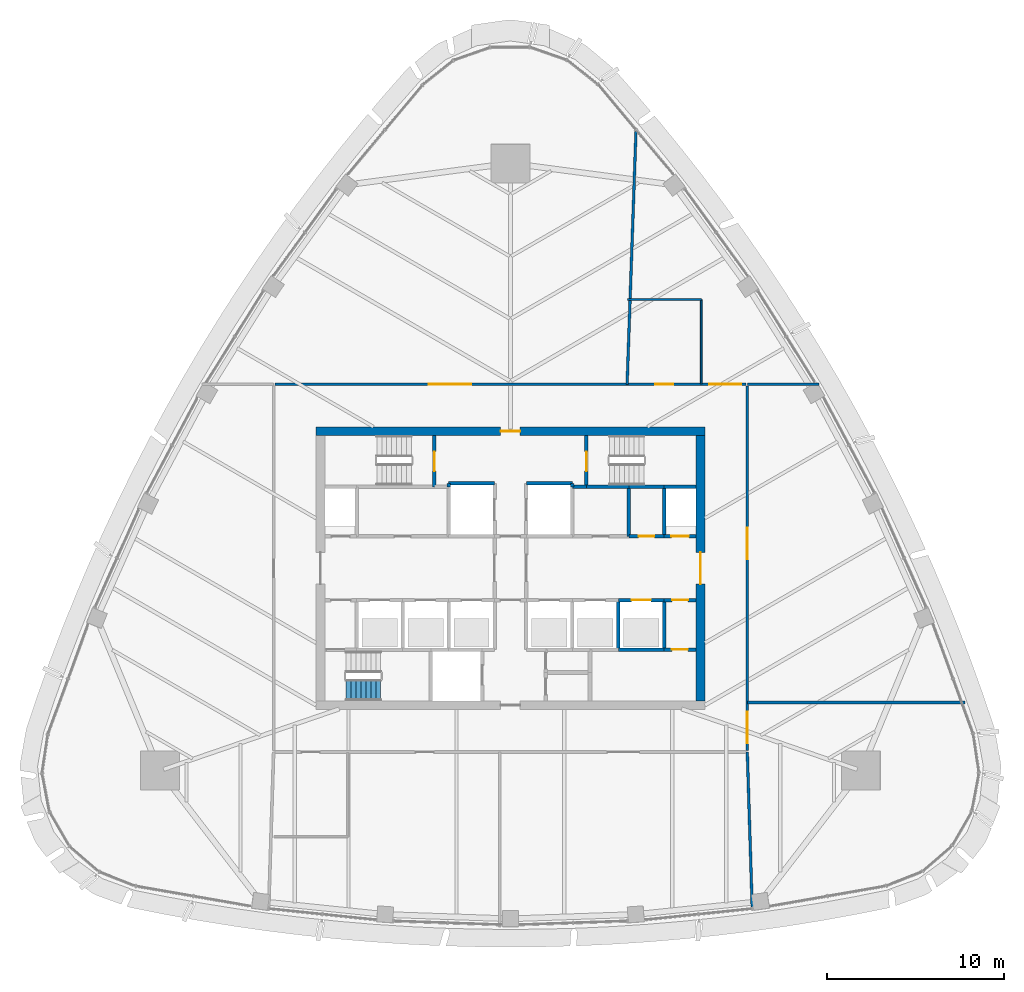
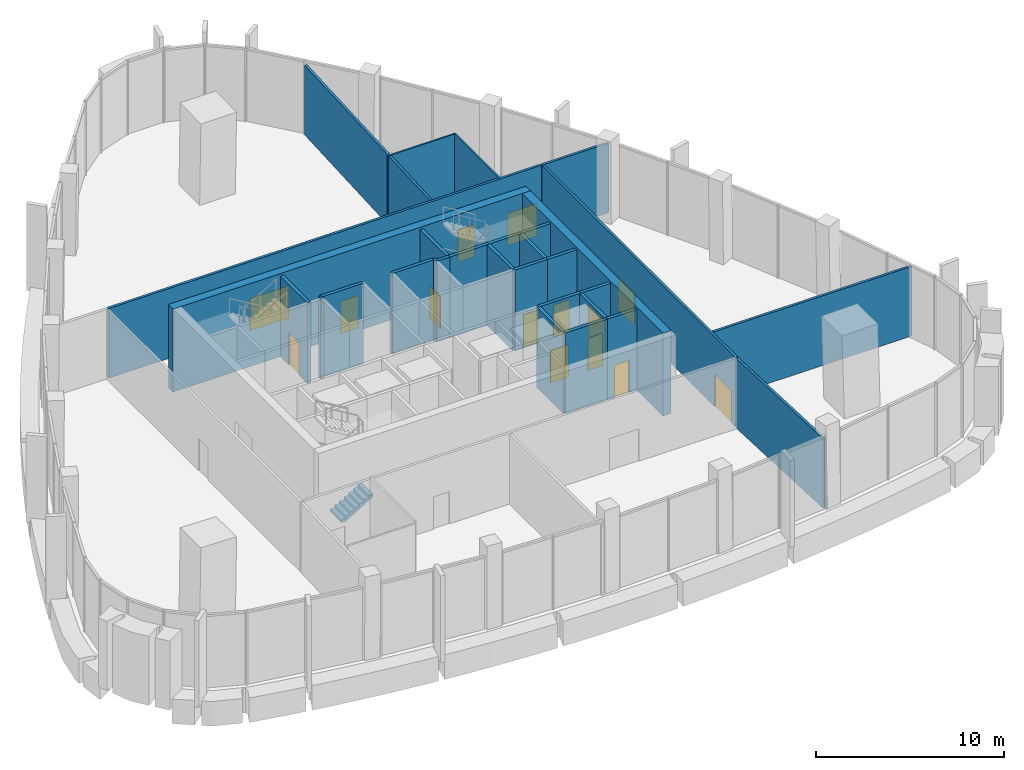
# One storey, part 10 of 19: 30 walls, 14 doors, 1 stair flight, 14 openings, 1 element without a shape of its own.
"""IFC4 building model written with IfcOpenShell, lengths in metres."""

from ifc_helpers import new_model, si_unit, direction, frame, frame_2d, origin, place, context, subcontext, project, spatial, polyline, rectangle, outline, extrude, material, layer, layer_set, type_object, element, fill, aggregate, save


model = new_model("IFC4")

# Units and contexts
model_context = context("Model", 3, precision=1e-05, world=origin(), true_north=direction((0.0, 1.0)))
body_context = subcontext(model_context, "Body", "Model", "MODEL_VIEW")
ifc_project = project(units=[si_unit("LENGTHUNIT", "METRE"), si_unit("AREAUNIT", "SQUARE_METRE"), si_unit("VOLUMEUNIT", "CUBIC_METRE"), si_unit("PLANEANGLEUNIT", "RADIAN"), si_unit("MASSUNIT", "GRAM", prefix="KILO")], contexts=[model_context])

# Site, building, storey
site_placement = place(None, origin())
site = spatial("IfcSite", under=ifc_project, at=site_placement, CompositionType="ELEMENT")
building_placement = place(site_placement, origin())
building = spatial("IfcBuilding", under=site, at=building_placement, Name="Sierra Prisma Convention Tower", CompositionType="ELEMENT")
storey_placement = place(building_placement, frame((0.0, 0.0, 319.0)))
storey = spatial("IfcBuildingStorey", under=building, at=storey_placement, Name="L73", CompositionType="ELEMENT", Elevation=319.0)

# Walls
ifc_material_1 = material(Name="Gypsum board partition", Category="gypsum")
ifc_layer_1 = layer(ifc_material_1, 0.10009765625)
ifc_layer_set_1 = layer_set([ifc_layer_1], Name="Bathroom partition 100")
wall_type_1 = type_object("IfcWallType", Name="Bathroom partition 100", PredefinedType="PARTITIONING", material=ifc_layer_set_1)
wall_1_placement = place(storey_placement, frame((6.6298828125, 15.199951171875, 0.0), z_axis=(0.0, 0.0, 1.0), x_axis=(1.0, 0.0, 0.0)))
element("IfcWall", 1, at=wall_1_placement, inside=storey, type_object=wall_type_1, Name="Partition L73 bath 3", PredefinedType="PARTITIONING", context=body_context, shape_type="SweptSolid", body=[
    extrude(rectangle(XDim=4.170166015625, YDim=0.10009765625, at=frame_2d((2.0849609375, 0.0))), origin(), (0.0, 0.0, 1.0), 4.5380859375),
])
wall_2_placement = place(storey_placement, frame((10.800048828125, 15.199951171875, 0.0), z_axis=(0.0, 0.0, 1.0), x_axis=(0.0, -1.0, 0.0)))
element("IfcWall", 2, at=wall_2_placement, inside=storey, type_object=wall_type_1, Name="Partition L73 bath 4", PredefinedType="PARTITIONING", context=body_context, shape_type="SweptSolid", body=[
    extrude(rectangle(XDim=4.77001953125, YDim=0.10009765625, at=frame_2d((2.385009765625, 0.0))), origin(), (0.0, 0.0, 1.0), 4.5380859375),
])

# Wall, opening, door
ifc_material_2 = material(Name="Concrete C30/37", Category="concrete")
ifc_layer_2 = layer(ifc_material_2, 0.199951171875)
ifc_layer_set_2 = layer_set([ifc_layer_2], Name="Core wall RC 200 C30/37")
wall_type_2 = type_object("IfcWallType", Name="Core wall RC 200 C30/37", PredefinedType="SOLIDWALL", material=ifc_layer_set_2)
wall_3_placement = place(storey_placement, frame((-4.300048828125, 4.60009765625, 0.0), z_axis=(0.0, 0.0, 1.0), x_axis=(0.0, 1.0, 0.0)))
wall_3 = element("IfcWall", 3, at=wall_3_placement, inside=storey, type_object=wall_type_2, Name="Core wall L73 17", PredefinedType="SOLIDWALL", context=body_context, shape_type="SweptSolid", body=[
    extrude(rectangle(XDim=2.89990234375, YDim=0.199951171875, at=frame_2d((1.449951171875, 0.0))), origin(), (0.0, 0.0, 1.0), 5.25),
])
opening_1_placement = place(wall_3_placement, frame((0.89990234375, 0.0, 0.0)))
opening_1 = element("IfcOpeningElement", 4, at=opening_1_placement, cuts=wall_3, Name="Opening L73-D018", PredefinedType="OPENING", context=body_context, shape_type="SweptSolid", body=[
    extrude(rectangle(XDim=1.10009765625, YDim=2.10009765625, at=frame_2d((0.550048828125, 1.050048828125))), frame((0.0, 0.10009765625, 0.0), z_axis=(0.0, -1.0, 0.0), x_axis=(1.0, 0.0, 0.0)), (0.0, 0.0, 1.0), 0.199951171875),
])
ifc_material_3 = material(Name="Steel fire door leaf", Category="steel")
door_type_1 = type_object("IfcDoorType", Name="Door 1100x2100 FD90S", OperationType="SINGLE_SWING_LEFT", PredefinedType="DOOR", material=ifc_material_3)
door_1_placement = place(opening_1_placement, origin())
door_1 = element("IfcDoor", 5, at=door_1_placement, inside=storey, type_object=door_type_1, Name="Door L73 27", OperationType="SINGLE_SWING_RIGHT", OverallHeight=2.10009765625, OverallWidth=1.10009765625, PredefinedType="DOOR", context=body_context, shape_type="SweptSolid", body=[
    extrude(rectangle(XDim=1.10009765625, YDim=2.10009765625, at=frame_2d((0.550048828125, 1.050048828125))), frame((0.0, 0.02490234375, 0.0), z_axis=(0.0, -1.0, 0.0), x_axis=(1.0, 0.0, 0.0)), (0.0, 0.0, 1.0), 0.050048828125),
])
fill(opening_1, door_1)

# Walls
wall_4_placement = place(storey_placement, frame((-0.89990234375, 4.800048828125, 0.0), z_axis=(0.0, 0.0, 1.0), x_axis=(-1.0, 0.0, 0.0)))
element("IfcWall", 6, at=wall_4_placement, inside=storey, type_object=wall_type_2, Name="Core wall L73 24", PredefinedType="SOLIDWALL", context=body_context, shape_type="SweptSolid", body=[
    extrude(rectangle(XDim=2.60009765625, YDim=0.199951171875, at=frame_2d((1.300048828125, 0.0))), origin(), (0.0, 0.0, 1.0), 5.25),
])
for number, where, z_axis, x_axis, name in (
    (7, (-3.5, 4.800048828125, 0.0), (0.0, 0.0, 1.0), (0.0, -1.0, 0.0), "Core wall L73 25"),
    (8, (3.5, 4.60009765625, 0.0), (0.0, 0.0, 1.0), (0.0, 1.0, 0.0), "Core wall L73 37"),
):
    element("IfcWall", number, at=place(storey_placement, frame(where, z_axis=z_axis, x_axis=x_axis)), inside=storey, type_object=wall_type_2, Name=name, PredefinedType="SOLIDWALL", context=body_context, shape_type="SweptSolid", body=[
        extrude(rectangle(XDim=0.199951171875, YDim=0.199951171875, at=frame_2d((0.10009765625, 0.0))), origin(), (0.0, 0.0, 1.0), 5.25),
    ])
wall_5_placement = place(storey_placement, frame((3.5, 4.800048828125, 0.0), z_axis=(0.0, 0.0, 1.0), x_axis=(-1.0, 0.0, 0.0)))
element("IfcWall", 9, at=wall_5_placement, inside=storey, type_object=wall_type_2, Name="Core wall L73 38", PredefinedType="SOLIDWALL", context=body_context, shape_type="SweptSolid", body=[
    extrude(rectangle(XDim=2.60009765625, YDim=0.199951171875, at=frame_2d((1.300048828125, 0.0))), origin(), (0.0, 0.0, 1.0), 5.25),
])
wall_6_placement = place(storey_placement, frame((4.300048828125, 4.60009765625, 0.0), z_axis=(0.0, 0.0, 1.0), x_axis=(-1.0, 0.0, 0.0)))
element("IfcWall", 10, at=wall_6_placement, inside=storey, type_object=wall_type_2, Name="Core wall L73 49", PredefinedType="SOLIDWALL", context=body_context, shape_type="SweptSolid", body=[
    extrude(rectangle(XDim=0.800048828125, YDim=0.199951171875, at=frame_2d((0.39990234375, 0.0))), origin(), (0.0, 0.0, 1.0), 5.25),
])
wall_7_placement = place(storey_placement, frame((6.699951171875, 4.60009765625, 0.0), z_axis=(0.0, 0.0, 1.0), x_axis=(-1.0, 0.0, 0.0)))
element("IfcWall", 11, at=wall_7_placement, inside=storey, type_object=wall_type_2, Name="Core wall L73 50", PredefinedType="SOLIDWALL", context=body_context, shape_type="SweptSolid", body=[
    extrude(rectangle(XDim=2.39990234375, YDim=0.199951171875, at=frame_2d((1.199951171875, 0.0))), origin(), (0.0, 0.0, 1.0), 5.25),
])

# Wall, opening, door
wall_8_placement = place(storey_placement, frame((4.300048828125, 7.5, 0.0), z_axis=(0.0, 0.0, 1.0), x_axis=(0.0, -1.0, 0.0)))
wall_8 = element("IfcWall", 12, at=wall_8_placement, inside=storey, type_object=wall_type_2, Name="Core wall L73 51", PredefinedType="SOLIDWALL", context=body_context, shape_type="SweptSolid", body=[
    extrude(rectangle(XDim=2.89990234375, YDim=0.199951171875, at=frame_2d((1.449951171875, 0.0))), origin(), (0.0, 0.0, 1.0), 5.25),
])
opening_2_placement = place(wall_8_placement, frame((0.89990234375, 0.0, 0.0)))
opening_2 = element("IfcOpeningElement", 13, at=opening_2_placement, cuts=wall_8, Name="Opening L73-D019", PredefinedType="OPENING", context=body_context, shape_type="SweptSolid", body=[
    extrude(rectangle(XDim=1.10009765625, YDim=2.10009765625, at=frame_2d((0.550048828125, 1.050048828125))), frame((0.0, 0.10009765625, 0.0), z_axis=(0.0, -1.0, 0.0), x_axis=(1.0, 0.0, 0.0)), (0.0, 0.0, 1.0), 0.199951171875),
])
door_2_placement = place(opening_2_placement, origin())
door_2 = element("IfcDoor", 14, at=door_2_placement, inside=storey, type_object=door_type_1, Name="Door L73 28", OperationType="SINGLE_SWING_LEFT", OverallHeight=2.10009765625, OverallWidth=1.10009765625, PredefinedType="DOOR", context=body_context, shape_type="SweptSolid", body=[
    extrude(rectangle(XDim=1.10009765625, YDim=2.10009765625, at=frame_2d((0.550048828125, 1.050048828125))), frame((0.0, 0.02490234375, 0.0), z_axis=(0.0, -1.0, 0.0), x_axis=(1.0, 0.0, 0.0)), (0.0, 0.0, 1.0), 0.050048828125),
])
fill(opening_2, door_2)

# Walls
wall_9_placement = place(storey_placement, frame((8.699951171875, -4.60009765625, 0.0), z_axis=(0.0, 0.0, 1.0), x_axis=(-1.0, 0.0, 0.0)))
element("IfcWall", 15, at=wall_9_placement, inside=storey, type_object=wall_type_2, Name="Core wall L73 55", PredefinedType="SOLIDWALL", context=body_context, shape_type="SweptSolid", body=[
    extrude(rectangle(XDim=2.599853515625, YDim=0.199951171875, at=frame_2d((1.2998046875, 0.0))), origin(), (0.0, 0.0, 1.0), 5.25),
])
wall_10_placement = place(storey_placement, frame((6.10009765625, -4.60009765625, 0.0), z_axis=(0.0, 0.0, 1.0), x_axis=(0.0, 1.0, 0.0)))
element("IfcWall", 16, at=wall_10_placement, inside=storey, type_object=wall_type_2, Name="Core wall L73 56", PredefinedType="SOLIDWALL", context=body_context, shape_type="SweptSolid", body=[
    extrude(rectangle(XDim=2.800048828125, YDim=0.199951171875, at=frame_2d((1.39990234375, 0.0))), origin(), (0.0, 0.0, 1.0), 5.25),
])

# Wall, opening, door
wall_11_placement = place(storey_placement, frame((6.10009765625, -1.800048828125, 0.0), z_axis=(0.0, 0.0, 1.0), x_axis=(1.0, 0.0, 0.0)))
wall_11 = element("IfcWall", 17, at=wall_11_placement, inside=storey, type_object=wall_type_2, Name="Core wall L73 57", PredefinedType="SOLIDWALL", context=body_context, shape_type="SweptSolid", body=[
    extrude(rectangle(XDim=2.599853515625, YDim=0.199951171875, at=frame_2d((1.2998046875, 0.0))), origin(), (0.0, 0.0, 1.0), 5.25),
])
opening_3_placement = place(wall_11_placement, frame((0.75, 0.0, 0.0)))
opening_3 = element("IfcOpeningElement", 18, at=opening_3_placement, cuts=wall_11, Name="Opening L73-D006", PredefinedType="OPENING", context=body_context, shape_type="SweptSolid", body=[
    extrude(rectangle(XDim=1.10009765625, YDim=2.10009765625, at=frame_2d((0.550048828125, 1.050048828125))), frame((0.0, 0.10009765625, 0.0), z_axis=(0.0, -1.0, 0.0), x_axis=(1.0, 0.0, 0.0)), (0.0, 0.0, 1.0), 0.199951171875),
])
ifc_material_4 = material(Name="Steel fire door leaf", Category="steel")
door_type_2 = type_object("IfcDoorType", Name="Door 1100x2100 EI 90 sliding lift landing", OperationType="SLIDING_TO_LEFT", PredefinedType="DOOR", material=ifc_material_4)
door_3_placement = place(opening_3_placement, origin())
door_3 = element("IfcDoor", 19, at=door_3_placement, inside=storey, type_object=door_type_2, Name="Door L73 15", OperationType="SLIDING_TO_LEFT", OverallHeight=2.10009765625, OverallWidth=1.10009765625, PredefinedType="DOOR", context=body_context, shape_type="SweptSolid", body=[
    extrude(rectangle(XDim=1.10009765625, YDim=2.10009765625, at=frame_2d((0.550048828125, 1.050048828125))), frame((0.0, 0.02490234375, 0.0), z_axis=(0.0, -1.0, 0.0), x_axis=(1.0, 0.0, 0.0)), (0.0, 0.0, 1.0), 0.050048828125),
])
fill(opening_3, door_3)

wall_12_placement = place(storey_placement, frame((6.699951171875, 1.800048828125, 0.0), z_axis=(0.0, 0.0, 1.0), x_axis=(1.0, 0.0, 0.0)))
wall_12 = element("IfcWall", 20, at=wall_12_placement, inside=storey, type_object=wall_type_2, Name="Core wall L73 58", PredefinedType="SOLIDWALL", context=body_context, shape_type="SweptSolid", body=[
    extrude(rectangle(XDim=2.0, YDim=0.199951171875, at=frame_2d((1.0, 0.0))), origin(), (0.0, 0.0, 1.0), 5.25),
])
opening_4_placement = place(wall_12_placement, frame((0.550048828125, 0.0, 0.0)))
opening_4 = element("IfcOpeningElement", 21, at=opening_4_placement, cuts=wall_12, Name="Opening L73-D021", PredefinedType="OPENING", context=body_context, shape_type="SweptSolid", body=[
    extrude(rectangle(XDim=0.89990234375, YDim=2.10009765625, at=frame_2d((0.449951171875, 1.050048828125))), frame((0.0, 0.10009765625, 0.0), z_axis=(0.0, -1.0, 0.0), x_axis=(1.0, 0.0, 0.0)), (0.0, 0.0, 1.0), 0.199951171875),
])
ifc_material_5 = material(Name="Steel fire door leaf", Category="steel")
door_type_3 = type_object("IfcDoorType", Name="Door 900x2100 FD30S", OperationType="SINGLE_SWING_LEFT", PredefinedType="DOOR", material=ifc_material_5)
door_4_placement = place(opening_4_placement, origin())
door_4 = element("IfcDoor", 22, at=door_4_placement, inside=storey, type_object=door_type_3, Name="Door L73 30", OperationType="SINGLE_SWING_LEFT", OverallHeight=2.10009765625, OverallWidth=0.89990234375, PredefinedType="DOOR", context=body_context, shape_type="SweptSolid", body=[
    extrude(rectangle(XDim=0.89990234375, YDim=2.10009765625, at=frame_2d((0.449951171875, 1.050048828125))), frame((0.0, 0.02490234375, 0.0), z_axis=(0.0, -1.0, 0.0), x_axis=(1.0, 0.0, 0.0)), (0.0, 0.0, 1.0), 0.050048828125),
])
fill(opening_4, door_4)

# Walls
wall_13_placement = place(storey_placement, frame((6.699951171875, 1.800048828125, 0.0), z_axis=(0.0, 0.0, 1.0), x_axis=(0.0, 1.0, 0.0)))
element("IfcWall", 23, at=wall_13_placement, inside=storey, type_object=wall_type_2, Name="Core wall L73 59", PredefinedType="SOLIDWALL", context=body_context, shape_type="SweptSolid", body=[
    extrude(rectangle(XDim=2.800048828125, YDim=0.199951171875, at=frame_2d((1.39990234375, 0.0))), origin(), (0.0, 0.0, 1.0), 5.25),
])
wall_14_placement = place(storey_placement, frame((8.699951171875, 4.60009765625, 0.0), z_axis=(0.0, 0.0, 1.0), x_axis=(-1.0, 0.0, 0.0)))
element("IfcWall", 24, at=wall_14_placement, inside=storey, type_object=wall_type_2, Name="Core wall L73 60", PredefinedType="SOLIDWALL", context=body_context, shape_type="SweptSolid", body=[
    extrude(rectangle(XDim=2.0, YDim=0.199951171875, at=frame_2d((1.0, 0.0))), origin(), (0.0, 0.0, 1.0), 5.25),
])

# Wall, opening, door
wall_15_placement = place(storey_placement, frame((10.5, -4.60009765625, 0.0), z_axis=(0.0, 0.0, 1.0), x_axis=(-1.0, 0.0, 0.0)))
wall_15 = element("IfcWall", 25, at=wall_15_placement, inside=storey, type_object=wall_type_2, Name="Core wall L73 61", PredefinedType="SOLIDWALL", context=body_context, shape_type="SweptSolid", body=[
    extrude(rectangle(XDim=1.800048828125, YDim=0.199951171875, at=frame_2d((0.89990234375, 0.0))), origin(), (0.0, 0.0, 1.0), 5.25),
])
opening_5_placement = place(wall_15_placement, frame((0.4599609375, 0.0, 0.0)))
opening_5 = element("IfcOpeningElement", 26, at=opening_5_placement, cuts=wall_15, Name="Opening L73-D023", PredefinedType="OPENING", context=body_context, shape_type="SweptSolid", body=[
    extrude(rectangle(XDim=0.89990234375, YDim=2.10009765625, at=frame_2d((0.449951171875, 1.050048828125))), frame((0.0, 0.10009765625, 0.0), z_axis=(0.0, -1.0, 0.0), x_axis=(1.0, 0.0, 0.0)), (0.0, 0.0, 1.0), 0.199951171875),
])
door_5_placement = place(opening_5_placement, origin())
door_5 = element("IfcDoor", 27, at=door_5_placement, inside=storey, type_object=door_type_3, Name="Door L73 32", OperationType="SINGLE_SWING_LEFT", OverallHeight=2.10009765625, OverallWidth=0.89990234375, PredefinedType="DOOR", context=body_context, shape_type="SweptSolid", body=[
    extrude(rectangle(XDim=0.89990234375, YDim=2.10009765625, at=frame_2d((0.449951171875, 1.050048828125))), frame((0.0, 0.02490234375, 0.0), z_axis=(0.0, -1.0, 0.0), x_axis=(1.0, 0.0, 0.0)), (0.0, 0.0, 1.0), 0.050048828125),
])
fill(opening_5, door_5)

# Wall
wall_16_placement = place(storey_placement, frame((8.699951171875, -1.800048828125, 0.0), z_axis=(0.0, 0.0, 1.0), x_axis=(0.0, -1.0, 0.0)))
element("IfcWall", 28, at=wall_16_placement, inside=storey, type_object=wall_type_2, Name="Core wall L73 62", PredefinedType="SOLIDWALL", context=body_context, shape_type="SweptSolid", body=[
    extrude(rectangle(XDim=2.800048828125, YDim=0.199951171875, at=frame_2d((1.39990234375, 0.0))), origin(), (0.0, 0.0, 1.0), 5.25),
])

# Wall, opening, door
wall_17_placement = place(storey_placement, frame((8.699951171875, -1.800048828125, 0.0), z_axis=(0.0, 0.0, 1.0), x_axis=(1.0, 0.0, 0.0)))
wall_17 = element("IfcWall", 29, at=wall_17_placement, inside=storey, type_object=wall_type_2, Name="Core wall L73 63", PredefinedType="SOLIDWALL", context=body_context, shape_type="SweptSolid", body=[
    extrude(rectangle(XDim=1.800048828125, YDim=0.199951171875, at=frame_2d((0.89990234375, 0.0))), origin(), (0.0, 0.0, 1.0), 5.25),
])
opening_6_placement = place(wall_17_placement, frame((0.449951171875, 0.0, 0.0)))
opening_6 = element("IfcOpeningElement", 30, at=opening_6_placement, cuts=wall_17, Name="Opening L73-D024", PredefinedType="OPENING", context=body_context, shape_type="SweptSolid", body=[
    extrude(rectangle(XDim=0.89990234375, YDim=2.10009765625, at=frame_2d((0.449951171875, 1.050048828125))), frame((0.0, 0.10009765625, 0.0), z_axis=(0.0, -1.0, 0.0), x_axis=(1.0, 0.0, 0.0)), (0.0, 0.0, 1.0), 0.199951171875),
])
door_6_placement = place(opening_6_placement, origin())
door_6 = element("IfcDoor", 31, at=door_6_placement, inside=storey, type_object=door_type_3, Name="Door L73 33", OperationType="SINGLE_SWING_LEFT", OverallHeight=2.10009765625, OverallWidth=0.89990234375, PredefinedType="DOOR", context=body_context, shape_type="SweptSolid", body=[
    extrude(rectangle(XDim=0.89990234375, YDim=2.10009765625, at=frame_2d((0.449951171875, 1.050048828125))), frame((0.0, 0.02490234375, 0.0), z_axis=(0.0, -1.0, 0.0), x_axis=(1.0, 0.0, 0.0)), (0.0, 0.0, 1.0), 0.050048828125),
])
fill(opening_6, door_6)

wall_18_placement = place(storey_placement, frame((10.5, 1.800048828125, 0.0), z_axis=(0.0, 0.0, 1.0), x_axis=(-1.0, 0.0, 0.0)))
wall_18 = element("IfcWall", 32, at=wall_18_placement, inside=storey, type_object=wall_type_2, Name="Core wall L73 64", PredefinedType="SOLIDWALL", context=body_context, shape_type="SweptSolid", body=[
    extrude(rectangle(XDim=1.800048828125, YDim=0.199951171875, at=frame_2d((0.89990234375, 0.0))), origin(), (0.0, 0.0, 1.0), 5.25),
])
opening_7_placement = place(wall_18_placement, frame((0.39990234375, 0.0, 0.0)))
opening_7 = element("IfcOpeningElement", 33, at=opening_7_placement, cuts=wall_18, Name="Opening L73-D016", PredefinedType="OPENING", context=body_context, shape_type="SweptSolid", body=[
    extrude(rectangle(XDim=1.0, YDim=2.10009765625, at=frame_2d((0.5, 1.050048828125))), frame((0.0, 0.10009765625, 0.0), z_axis=(0.0, -1.0, 0.0), x_axis=(1.0, 0.0, 0.0)), (0.0, 0.0, 1.0), 0.199951171875),
])
ifc_material_6 = material(Name="Steel fire door leaf", Category="steel")
door_type_4 = type_object("IfcDoorType", Name="Door 1000x2100 FD60S", OperationType="SINGLE_SWING_LEFT", PredefinedType="DOOR", material=ifc_material_6)
door_7_placement = place(opening_7_placement, origin())
door_7 = element("IfcDoor", 34, at=door_7_placement, inside=storey, type_object=door_type_4, Name="Door L73 25", OperationType="SINGLE_SWING_LEFT", OverallHeight=2.10009765625, OverallWidth=1.0, PredefinedType="DOOR", context=body_context, shape_type="SweptSolid", body=[
    extrude(rectangle(XDim=1.0, YDim=2.10009765625, at=frame_2d((0.5, 1.050048828125))), frame((0.0, 0.02490234375, 0.0), z_axis=(0.0, -1.0, 0.0), x_axis=(1.0, 0.0, 0.0)), (0.0, 0.0, 1.0), 0.050048828125),
])
fill(opening_7, door_7)

# Walls
wall_19_placement = place(storey_placement, frame((8.699951171875, 1.800048828125, 0.0), z_axis=(0.0, 0.0, 1.0), x_axis=(0.0, 1.0, 0.0)))
element("IfcWall", 35, at=wall_19_placement, inside=storey, type_object=wall_type_2, Name="Core wall L73 65", PredefinedType="SOLIDWALL", context=body_context, shape_type="SweptSolid", body=[
    extrude(rectangle(XDim=2.800048828125, YDim=0.199951171875, at=frame_2d((1.39990234375, 0.0))), origin(), (0.0, 0.0, 1.0), 5.25),
])
wall_20_placement = place(storey_placement, frame((10.5, 4.60009765625, 0.0), z_axis=(0.0, 0.0, 1.0), x_axis=(-1.0, 0.0, 0.0)))
element("IfcWall", 36, at=wall_20_placement, inside=storey, type_object=wall_type_2, Name="Core wall L73 66", PredefinedType="SOLIDWALL", context=body_context, shape_type="SweptSolid", body=[
    extrude(rectangle(XDim=1.800048828125, YDim=0.199951171875, at=frame_2d((0.89990234375, 0.0))), origin(), (0.0, 0.0, 1.0), 5.25),
])

# Wall, opening, door
ifc_material_7 = material(Name="Concrete C50/60", Category="concrete")
ifc_layer_3 = layer(ifc_material_7, 0.5)
ifc_layer_set_3 = layer_set([ifc_layer_3], Name="Core wall RC 500 C50/60")
wall_type_3 = type_object("IfcWallType", Name="Core wall RC 500 C50/60", PredefinedType="SHEAR", material=ifc_layer_set_3)
wall_21_placement = place(storey_placement, frame((-11.0, 7.75, 0.0), z_axis=(0.0, 0.0, 1.0), x_axis=(1.0, 0.0, 0.0)))
wall_21 = element("IfcWall", 37, at=wall_21_placement, inside=storey, type_object=wall_type_3, Name="Core wall N L73", PredefinedType="SHEAR", context=body_context, shape_type="SweptSolid", body=[
    extrude(rectangle(XDim=22.0, YDim=0.5, at=frame_2d((11.0, 0.0))), origin(), (0.0, 0.0, 1.0), 5.39990234375),
])
opening_8_placement = place(wall_21_placement, frame((10.449951171875, 0.0, 0.0)))
opening_8 = element("IfcOpeningElement", 38, at=opening_8_placement, cuts=wall_21, Name="Opening L73-D037", PredefinedType="OPENING", context=body_context, shape_type="SweptSolid", body=[
    extrude(rectangle(XDim=1.10009765625, YDim=2.10009765625, at=frame_2d((0.550048828125, 1.050048828125))), frame((0.0, 0.25, 0.0), z_axis=(0.0, -1.0, 0.0), x_axis=(1.0, 0.0, 0.0)), (0.0, 0.0, 1.0), 0.5),
])
ifc_material_8 = material(Name="Steel fire door leaf", Category="steel")
door_type_5 = type_object("IfcDoorType", Name="Door 1100x2100 FD60S", OperationType="SINGLE_SWING_LEFT", PredefinedType="DOOR", material=ifc_material_8)
door_8_placement = place(opening_8_placement, origin())
door_8 = element("IfcDoor", 39, at=door_8_placement, inside=storey, type_object=door_type_5, Name="Door L73 38", OperationType="SINGLE_SWING_RIGHT", OverallHeight=2.10009765625, OverallWidth=1.10009765625, PredefinedType="DOOR", context=body_context, shape_type="SweptSolid", body=[
    extrude(rectangle(XDim=1.10009765625, YDim=2.10009765625, at=frame_2d((0.550048828125, 1.050048828125))), frame((0.0, 0.02490234375, 0.0), z_axis=(0.0, -1.0, 0.0), x_axis=(1.0, 0.0, 0.0)), (0.0, 0.0, 1.0), 0.050048828125),
])
fill(opening_8, door_8)

wall_22_placement = place(storey_placement, frame((10.75, -7.5, 0.0), z_axis=(0.0, 0.0, 1.0), x_axis=(0.0, 1.0, 0.0)))
wall_22 = element("IfcWall", 40, at=wall_22_placement, inside=storey, type_object=wall_type_3, Name="Core wall E L73", PredefinedType="SHEAR", context=body_context, shape_type="SweptSolid", body=[
    extrude(rectangle(XDim=15.0, YDim=0.5, at=frame_2d((7.5, 0.0))), origin(), (0.0, 0.0, 1.0), 5.39990234375),
])
opening_9_placement = place(wall_22_placement, frame((6.60009765625, 0.0, 0.0)))
opening_9 = element("IfcOpeningElement", 41, at=opening_9_placement, cuts=wall_22, Name="Opening L73-D036", PredefinedType="OPENING", context=body_context, shape_type="SweptSolid", body=[
    extrude(rectangle(XDim=1.800048828125, YDim=2.10009765625, at=frame_2d((0.89990234375, 1.050048828125))), frame((0.0, 0.25, 0.0), z_axis=(0.0, -1.0, 0.0), x_axis=(1.0, 0.0, 0.0)), (0.0, 0.0, 1.0), 0.5),
])
ifc_material_9 = material(Name="Steel fire door leaf", Category="steel")
door_type_6 = type_object("IfcDoorType", Name="Door 1800x2100 FD60S", OperationType="DOUBLE_DOOR_SINGLE_SWING", PredefinedType="DOOR", material=ifc_material_9)
door_9_placement = place(opening_9_placement, origin())
door_9 = element("IfcDoor", 42, at=door_9_placement, inside=storey, type_object=door_type_6, Name="Door L73 37", OperationType="DOUBLE_DOOR_SINGLE_SWING", OverallHeight=2.10009765625, OverallWidth=1.800048828125, PredefinedType="DOOR", context=body_context, shape_type="SweptSolid", body=[
    extrude(rectangle(XDim=1.800048828125, YDim=2.10009765625, at=frame_2d((0.89990234375, 1.050048828125))), frame((0.0, 0.02490234375, 0.0), z_axis=(0.0, -1.0, 0.0), x_axis=(1.0, 0.0, 0.0)), (0.0, 0.0, 1.0), 0.050048828125),
])
fill(opening_9, door_9)

# Wall, openings, doors
ifc_material_10 = material(Name="Gypsum board partition", Category="gypsum")
ifc_layer_4 = layer(ifc_material_10, 0.14990234375)
ifc_layer_set_4 = layer_set([ifc_layer_4], Name="Corridor wall 150 gypsum EI 60")
wall_type_4 = type_object("IfcWallType", Name="Corridor wall 150 gypsum EI 60", PredefinedType="PARTITIONING", material=ifc_layer_set_4)
wall_23_placement = place(storey_placement, frame((13.320068359375, 10.39990234375, 0.0), z_axis=(0.0, 0.0, 1.0), x_axis=(-1.0, 0.0, 0.0)))
wall_23 = element("IfcWall", 43, at=wall_23_placement, inside=storey, type_object=wall_type_4, Name="Partition L73 corr 3", PredefinedType="PARTITIONING", context=body_context, shape_type="SweptSolid", body=[
    extrude(rectangle(XDim=26.64013671875, YDim=0.14990234375, at=frame_2d((13.320068359375, 0.0))), origin(), (0.0, 0.0, 1.0), 4.5380859375),
])
opening_10_placement = place(wall_23_placement, frame((4.1201171875, 0.0, 0.0)))
opening_10 = element("IfcOpeningElement", 44, at=opening_10_placement, cuts=wall_23, Name="Opening L73-D027", PredefinedType="OPENING", context=body_context, shape_type="SweptSolid", body=[
    extrude(rectangle(XDim=1.0, YDim=2.10009765625, at=frame_2d((0.5, 1.050048828125))), frame((0.0, 0.074951171875, 0.0), z_axis=(0.0, -1.0, 0.0), x_axis=(1.0, 0.0, 0.0)), (0.0, 0.0, 1.0), 0.14990234375),
])
opening_11_placement = place(wall_23_placement, frame((0.260009765625, 0.0, 0.0)))
opening_11 = element("IfcOpeningElement", 45, at=opening_11_placement, cuts=wall_23, Name="Opening L73-D028", PredefinedType="OPENING", context=body_context, shape_type="SweptSolid", body=[
    extrude(rectangle(XDim=1.800048828125, YDim=2.10009765625, at=frame_2d((0.89990234375, 1.050048828125))), frame((0.0, 0.074951171875, 0.0), z_axis=(0.0, -1.0, 0.0), x_axis=(1.0, 0.0, 0.0)), (0.0, 0.0, 1.0), 0.14990234375),
])
opening_12_placement = place(wall_23_placement, frame((15.530029296875, 0.0, 0.0)))
opening_12 = element("IfcOpeningElement", 46, at=opening_12_placement, cuts=wall_23, Name="Opening L73-D029", PredefinedType="OPENING", context=body_context, shape_type="SweptSolid", body=[
    extrude(rectangle(XDim=2.39990234375, YDim=2.10009765625, at=frame_2d((1.199951171875, 1.050048828125))), frame((0.0, 0.074951171875, 0.0), z_axis=(0.0, -1.0, 0.0), x_axis=(1.0, 0.0, 0.0)), (0.0, 0.0, 1.0), 0.14990234375),
])
ifc_material_11 = material(Name="Steel fire door leaf", Category="steel")
door_type_7 = type_object("IfcDoorType", Name="Door 1000x2100 FD30S", OperationType="SINGLE_SWING_LEFT", PredefinedType="DOOR", material=ifc_material_11)
door_10_placement = place(opening_10_placement, origin())
door_10 = element("IfcDoor", 47, at=door_10_placement, inside=storey, type_object=door_type_7, Name="Door L73 1", OperationType="SINGLE_SWING_RIGHT", OverallHeight=2.10009765625, OverallWidth=1.0, PredefinedType="DOOR", context=body_context, shape_type="SweptSolid", body=[
    extrude(rectangle(XDim=1.0, YDim=2.10009765625, at=frame_2d((0.5, 1.050048828125))), frame((0.0, 0.02490234375, 0.0), z_axis=(0.0, -1.0, 0.0), x_axis=(1.0, 0.0, 0.0)), (0.0, 0.0, 1.0), 0.050048828125),
])
fill(opening_10, door_10)
ifc_material_12 = material(Name="Steel fire door leaf", Category="steel")
door_type_8 = type_object("IfcDoorType", Name="Door 1800x2100 FD30S", OperationType="DOUBLE_DOOR_SINGLE_SWING", PredefinedType="DOOR", material=ifc_material_12)
door_11_placement = place(opening_11_placement, origin())
door_11 = element("IfcDoor", 48, at=door_11_placement, inside=storey, type_object=door_type_8, Name="Door L73 2", OperationType="DOUBLE_DOOR_SINGLE_SWING", OverallHeight=2.10009765625, OverallWidth=1.800048828125, PredefinedType="DOOR", context=body_context, shape_type="SweptSolid", body=[
    extrude(rectangle(XDim=1.800048828125, YDim=2.10009765625, at=frame_2d((0.89990234375, 1.050048828125))), frame((0.0, 0.02490234375, 0.0), z_axis=(0.0, -1.0, 0.0), x_axis=(1.0, 0.0, 0.0)), (0.0, 0.0, 1.0), 0.050048828125),
])
fill(opening_11, door_11)
ifc_material_13 = material(Name="Steel fire door leaf", Category="steel")
door_type_9 = type_object("IfcDoorType", Name="Door 2400x2100 FD30S", OperationType="DOUBLE_DOOR_SINGLE_SWING", PredefinedType="DOOR", material=ifc_material_13)
door_12_placement = place(opening_12_placement, origin())
door_12 = element("IfcDoor", 49, at=door_12_placement, inside=storey, type_object=door_type_9, Name="Door L73 3", OperationType="DOUBLE_DOOR_SINGLE_SWING", OverallHeight=2.10009765625, OverallWidth=2.39990234375, PredefinedType="DOOR", context=body_context, shape_type="SweptSolid", body=[
    extrude(rectangle(XDim=2.39990234375, YDim=2.10009765625, at=frame_2d((1.199951171875, 1.050048828125))), frame((0.0, 0.02490234375, 0.0), z_axis=(0.0, -1.0, 0.0), x_axis=(1.0, 0.0, 0.0)), (0.0, 0.0, 1.0), 0.050048828125),
])
fill(opening_12, door_12)

wall_24_placement = place(storey_placement, frame((13.39990234375, -10.320068359375, 0.0), z_axis=(0.0, 0.0, 1.0), x_axis=(0.0, 1.0, 0.0)))
wall_24 = element("IfcWall", 50, at=wall_24_placement, inside=storey, type_object=wall_type_4, Name="Partition L73 corr 4", PredefinedType="PARTITIONING", context=body_context, shape_type="SweptSolid", body=[
    extrude(rectangle(XDim=20.64013671875, YDim=0.14990234375, at=frame_2d((10.320068359375, 0.0))), origin(), (0.0, 0.0, 1.0), 4.5380859375),
])
opening_13_placement = place(wall_24_placement, frame((0.409912109375, 0.0, 0.0)))
opening_13 = element("IfcOpeningElement", 51, at=opening_13_placement, cuts=wall_24, Name="Opening L73-D034", PredefinedType="OPENING", context=body_context, shape_type="SweptSolid", body=[
    extrude(rectangle(XDim=1.800048828125, YDim=2.10009765625, at=frame_2d((0.89990234375, 1.050048828125))), frame((0.0, 0.074951171875, 0.0), z_axis=(0.0, -1.0, 0.0), x_axis=(1.0, 0.0, 0.0)), (0.0, 0.0, 1.0), 0.14990234375),
])
opening_14_placement = place(wall_24_placement, frame((10.820068359375, 0.0, 0.0)))
opening_14 = element("IfcOpeningElement", 52, at=opening_14_placement, cuts=wall_24, Name="Opening L73-D035", PredefinedType="OPENING", context=body_context, shape_type="SweptSolid", body=[
    extrude(rectangle(XDim=1.800048828125, YDim=2.10009765625, at=frame_2d((0.89990234375, 1.050048828125))), frame((0.0, 0.074951171875, 0.0), z_axis=(0.0, -1.0, 0.0), x_axis=(1.0, 0.0, 0.0)), (0.0, 0.0, 1.0), 0.14990234375),
])
door_13_placement = place(opening_13_placement, origin())
door_13 = element("IfcDoor", 53, at=door_13_placement, inside=storey, type_object=door_type_8, Name="Door L73 8", OperationType="DOUBLE_DOOR_SINGLE_SWING", OverallHeight=2.10009765625, OverallWidth=1.800048828125, PredefinedType="DOOR", context=body_context, shape_type="SweptSolid", body=[
    extrude(rectangle(XDim=1.800048828125, YDim=2.10009765625, at=frame_2d((0.89990234375, 1.050048828125))), frame((0.0, 0.02490234375, 0.0), z_axis=(0.0, -1.0, 0.0), x_axis=(1.0, 0.0, 0.0)), (0.0, 0.0, 1.0), 0.050048828125),
])
fill(opening_13, door_13)
door_14_placement = place(opening_14_placement, origin())
door_14 = element("IfcDoor", 54, at=door_14_placement, inside=storey, type_object=door_type_8, Name="Door L73 9", OperationType="DOUBLE_DOOR_SINGLE_SWING", OverallHeight=2.10009765625, OverallWidth=1.800048828125, PredefinedType="DOOR", context=body_context, shape_type="SweptSolid", body=[
    extrude(rectangle(XDim=1.800048828125, YDim=2.10009765625, at=frame_2d((0.89990234375, 1.050048828125))), frame((0.0, 0.02490234375, 0.0), z_axis=(0.0, -1.0, 0.0), x_axis=(1.0, 0.0, 0.0)), (0.0, 0.0, 1.0), 0.050048828125),
])
fill(opening_14, door_14)

# Walls
ifc_material_14 = material(Name="Gypsum board partition", Category="gypsum")
ifc_layer_5 = layer(ifc_material_14, 0.14990234375)
ifc_layer_set_5 = layer_set([ifc_layer_5], Name="Party wall 150 gypsum")
wall_type_5 = type_object("IfcWallType", Name="Party wall 150 gypsum", PredefinedType="PARTITIONING", material=ifc_layer_set_5)
wall_25_placement = place(storey_placement, frame((6.60009765625, 10.39990234375, 0.0), z_axis=(0.0, 0.0, 1.0), x_axis=(0.035049105574, 0.99938559135, 0.0)))
element("IfcWall", 55, at=wall_25_placement, inside=storey, type_object=wall_type_5, Name="Partition L73 party 4", PredefinedType="PARTITIONING", context=body_context, shape_type="SweptSolid", body=[
    extrude(rectangle(XDim=14.314453125, YDim=0.14990234375, at=frame_2d((7.1572265625, 0.0))), origin(), (0.0, 0.0, 1.0), 4.532958984375),
])
wall_26_placement = place(storey_placement, frame((13.39990234375, -10.39990234375, 0.0), z_axis=(0.0, 0.0, 1.0), x_axis=(0.031481767442, -0.999504326313, 0.0)))
element("IfcWall", 56, at=wall_26_placement, inside=storey, type_object=wall_type_5, Name="Partition L73 party 5", PredefinedType="PARTITIONING", context=body_context, shape_type="SweptSolid", body=[
    extrude(rectangle(XDim=8.76318359375, YDim=0.14990234375, at=frame_2d((4.381591796875, 0.0))), origin(), (0.0, 0.0, 1.0), 4.532958984375),
])
wall_27_placement = place(storey_placement, frame((13.39990234375, -7.60009765625, 0.0), z_axis=(0.0, 0.0, 1.0), x_axis=(1.0, 0.0, 0.0)))
element("IfcWall", 57, at=wall_27_placement, inside=storey, type_object=wall_type_5, Name="Partition L73 party 6", PredefinedType="PARTITIONING", context=body_context, shape_type="SweptSolid", body=[
    extrude(rectangle(XDim=12.31396484375, YDim=0.14990234375, at=frame_2d((6.156982421875, 0.0))), origin(), (0.0, 0.0, 1.0), 4.532958984375),
])
wall_28_placement = place(storey_placement, frame((17.45263671875, 10.39990234375, 0.0), z_axis=(0.0, 0.0, 1.0), x_axis=(-1.0, 0.0, 0.0)))
element("IfcWall", 58, at=wall_28_placement, inside=storey, type_object=wall_type_5, Name="Partition L73 party 7", PredefinedType="PARTITIONING", context=body_context, shape_type="SweptSolid", body=[
    extrude(rectangle(XDim=4.052734375, YDim=0.14990234375, at=frame_2d((2.0263671875, 0.0))), origin(), (0.0, 0.0, 1.0), 4.532958984375),
])

# Stair, stair flight
ifc_material_15 = material(Name="Concrete C30/37", Category="concrete")
stair_type = type_object("IfcStairType", Name="Stair dog-leg 1200 RC", PredefinedType="HALF_TURN_STAIR", material=ifc_material_15)
stair_placement = place(storey_placement, origin())
stair = element("IfcStair", 59, at=stair_placement, inside=storey, type_object=stair_type, Name="L73 S1", PredefinedType="HALF_TURN_STAIR")
ifc_material_16 = material(Name="Concrete C30/37", Category="concrete")
stair_flight_type = type_object("IfcStairFlightType", Name="Stair flight RC 1200", PredefinedType="STRAIGHT", material=ifc_material_16)
stair_flight_placement = place(storey_placement, frame((-9.300048828125, -6.89990234375, 0.0), z_axis=(0.0, 0.0, 1.0), x_axis=(1.0, 0.0, 0.0)))
stair_flight = element("IfcStairFlight", 60, at=stair_flight_placement, type_object=stair_flight_type, Name="S1 flight 1", NumberOfRisers=8, NumberOfTreads=7, PredefinedType="STRAIGHT", RiserHeight=0.16875, TreadLength=0.28, context=body_context, shape_type="SweptSolid", body=[
    extrude(outline(polyline([(0.0, 0.0), (0.0, 0.168701171875), (0.280029296875, 0.168701171875), (0.280029296875, 0.33740234375), (0.56005859375, 0.33740234375), (0.56005859375, 0.50634765625), (0.840087890625, 0.50634765625), (0.840087890625, 0.675048828125), (1.1201171875, 0.675048828125), (1.1201171875, 0.84375), (1.39990234375, 0.84375), (1.39990234375, 1.012451171875), (1.679931640625, 1.012451171875), (1.679931640625, 1.18115234375), (1.9599609375, 1.18115234375), (1.9599609375, 1.35009765625), (1.9599609375, 1.00634765625), (0.29052734375, 0.0), (0.0, 0.0)])), frame((0.0, 0.60009765625, 0.0), z_axis=(0.0, -1.0, 0.0), x_axis=(1.0, 0.0, 0.0)), (0.0, 0.0, 1.0), 1.199951171875),
])
aggregate(stair, [stair_flight])

save(model, "model.ifc")
